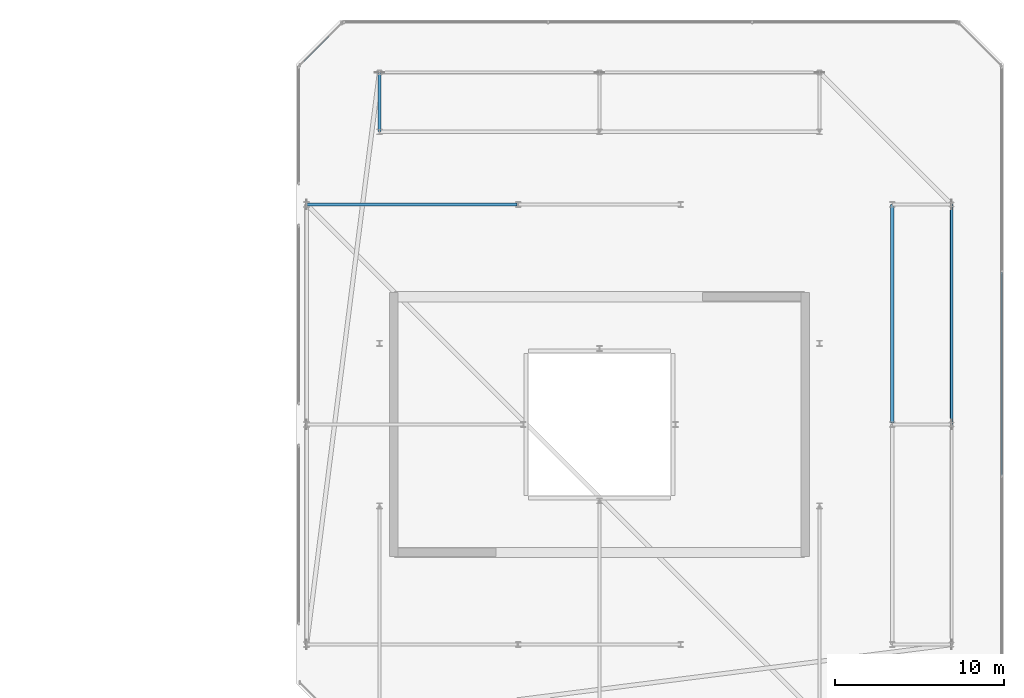
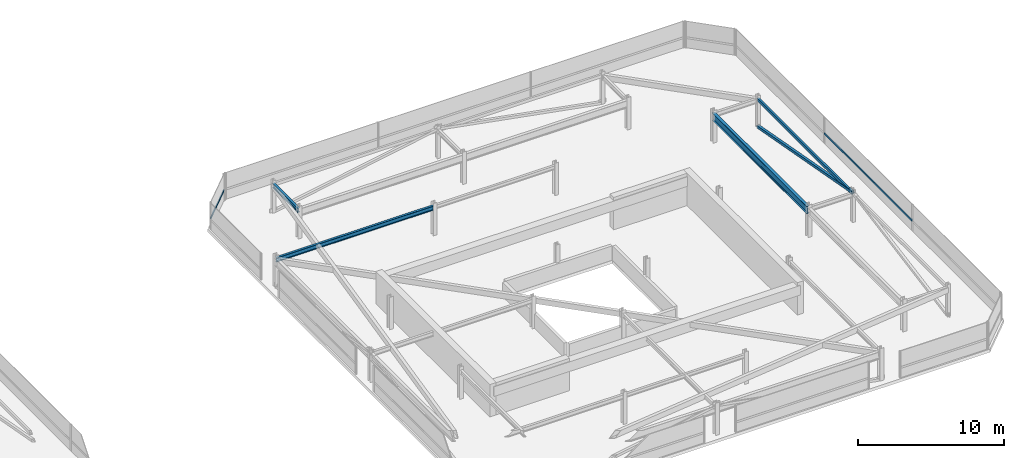
# One storey, part 34 of 44: 4 beams, 3 members, 2 elements without a shape of their own.
"""IFC4 building model written with IfcOpenShell, lengths in metres."""

from ifc_helpers import new_model, si_unit, direction, frame, origin, origin_2d, place, context, subcontext, project, spatial, hollow_rectangle, i_section, extrude, material, material_profile, profile_set, type_object, element, aggregate, save


model = new_model("IFC4")

# Units and contexts
model_context = context("Model", 3, precision=1e-05, world=origin(), true_north=direction((0.0, 1.0)))
body_context = subcontext(model_context, "Body", "Model", "MODEL_VIEW")
ifc_project = project(units=[si_unit("LENGTHUNIT", "METRE"), si_unit("AREAUNIT", "SQUARE_METRE"), si_unit("VOLUMEUNIT", "CUBIC_METRE"), si_unit("PLANEANGLEUNIT", "RADIAN"), si_unit("MASSUNIT", "GRAM", prefix="KILO")], contexts=[model_context])

# Site, building, storey
site_placement = place(None, origin())
site = spatial("IfcSite", under=ifc_project, at=site_placement, CompositionType="ELEMENT")
building_placement = place(site_placement, origin())
building = spatial("IfcBuilding", under=site, at=building_placement, Name="Thornwick Lancets Civic Towers", CompositionType="ELEMENT")
storey_placement = place(building_placement, frame((0.0, 0.0, 292.199951171875)))
storey = spatial("IfcBuildingStorey", under=building, at=storey_placement, Name="C05", CompositionType="ELEMENT", Elevation=292.199951171875)

# Beams
ifc_material_1 = material(Name="Steel S355JR", Category="steel")
ifc_material_profile_1 = material_profile(ifc_material_1, hollow_rectangle(XDim=0.14990234375, YDim=0.25, WallThickness=0.012451171875, at=origin_2d()), Name="RHS 250x150x12.5")
ifc_profile_set_1 = profile_set([ifc_material_profile_1], Name="Steel S355JR")
beam_type_1 = type_object("IfcBeamType", Name="BM_CROWN_RHS250", PredefinedType="BEAM", material=ifc_profile_set_1)
beam_1_placement = place(storey_placement, frame((109.300048828125, 27.080078125, 2.31494140625), z_axis=(0.0, 1.0, 0.0), x_axis=(-1.0, 0.0, 0.0)))
element("IfcBeam", 1, at=beam_1_placement, inside=storey, type_object=beam_type_1, Name="BM-EDGE-C05-B-S0-2", PredefinedType="BEAM", context=body_context, shape_type="SweptSolid", body=[
    extrude(hollow_rectangle(XDim=0.14990234375, YDim=0.25, WallThickness=0.012451171875, at=origin_2d()), origin(), (0.0, 0.0, 1.0), 12.919921875),
])
ifc_material_profile_2 = material_profile(ifc_material_1, i_section(OverallWidth=0.230224609375, OverallDepth=0.6171875, WebThickness=0.01318359375, FlangeThickness=0.022216796875, FilletRadius=0.0126953125, at=origin_2d()), Name="UKB 610x229x140")
ifc_profile_set_2 = profile_set([ifc_material_profile_2], Name="Steel S355JR")
beam_type_2 = type_object("IfcBeamType", Name="BM_GIRD_610_140", PredefinedType="BEAM", material=ifc_profile_set_2)
beam_2_placement = place(storey_placement, frame((105.800048828125, 27.080078125, 2.13134765625), z_axis=(0.0, 1.0, 0.0), x_axis=(-1.0, 0.0, 0.0)))
element("IfcBeam", 2, at=beam_2_placement, inside=storey, type_object=beam_type_2, Name="BM-SPINE-C05-B-1-2", PredefinedType="BEAM", context=body_context, shape_type="SweptSolid", body=[
    extrude(i_section(OverallWidth=0.230224609375, OverallDepth=0.6171875, WebThickness=0.01318359375, FlangeThickness=0.022216796875, FilletRadius=0.0126953125, at=origin_2d()), origin(), (0.0, 0.0, 1.0), 12.919921875),
])
ifc_material_profile_3 = material_profile(ifc_material_1, i_section(OverallWidth=0.173095703125, OverallDepth=0.36328125, WebThickness=0.009033203125, FlangeThickness=0.015625, FilletRadius=0.01025390625, at=origin_2d()), Name="UKB 356x171x67")
ifc_profile_set_3 = profile_set([ifc_material_profile_3], Name="Steel S355JR")
beam_type_3 = type_object("IfcBeamType", Name="BM_JOIST_356_67", PredefinedType="JOIST", material=ifc_profile_set_3)
beam_3_placement = place(storey_placement, frame((75.5, 44.300048828125, 2.25830078125), z_axis=(0.0, 1.0, 0.0), x_axis=(-1.0, 0.0, 0.0)))
element("IfcBeam", 3, at=beam_3_placement, inside=storey, type_object=beam_type_3, Name="BM-RAD-C05-B06", PredefinedType="JOIST", context=body_context, shape_type="SweptSolid", body=[
    extrude(i_section(OverallWidth=0.173095703125, OverallDepth=0.36328125, WebThickness=0.009033203125, FlangeThickness=0.015625, FilletRadius=0.01025390625, at=origin_2d()), origin(), (0.0, 0.0, 1.0), 3.5),
])
beam_4_placement = place(storey_placement, frame((83.6201171875, 40.0, 2.25830078125), z_axis=(-1.0, 0.0, 0.0), x_axis=(0.0, -1.0, 0.0)))
element("IfcBeam", 4, at=beam_4_placement, inside=storey, type_object=beam_type_3, Name="BM-RADIN-C05-B09", PredefinedType="JOIST", context=body_context, shape_type="SweptSolid", body=[
    extrude(i_section(OverallWidth=0.173095703125, OverallDepth=0.36328125, WebThickness=0.009033203125, FlangeThickness=0.015625, FilletRadius=0.01025390625, at=origin_2d()), origin(), (0.0, 0.0, 1.0), 12.420166015625),
])

# Curtain wall, member
ifc_material_2 = material(Name="Crown ring acoustic-louvre and glazing screen wall", Category="glass")
curtain_wall_type = type_object("IfcCurtainWallType", Name="CW_SYS_07", PredefinedType="NOTDEFINED", material=ifc_material_2)
curtain_wall_1_placement = place(storey_placement, origin())
curtain_wall_1 = element("IfcCurtainWall", 5, at=curtain_wall_1_placement, inside=storey, type_object=curtain_wall_type, Name="C05 Curtain Wall CW-C05-B-E2", PredefinedType="NOTDEFINED")
ifc_material_3 = material(Name="Thermally broken bronze aluminium S355", Category="steel")
ifc_material_profile_4 = material_profile(ifc_material_3, hollow_rectangle(XDim=0.074951171875, YDim=0.14990234375, WallThickness=0.0048828125, at=origin_2d()), Name="RHS 150x75x5")
ifc_profile_set_4 = profile_set([ifc_material_profile_4], Name="Thermally broken bronze aluminium S355")
member_type_1 = type_object("IfcMemberType", Name="CW_TRN_150", PredefinedType="USERDEFINED", material=ifc_profile_set_4)
member_1_placement = place(storey_placement, frame((112.2646484375, 23.986083984375, 0.85009765625), z_axis=(0.0, 1.0, 0.0), x_axis=(-1.0, 0.0, 0.0)))
member_1 = element("IfcMember", 6, at=member_1_placement, type_object=member_type_1, Name="CW-C05-B-E2 Transom 1", ObjectType="TRANSOM", PredefinedType="USERDEFINED", context=body_context, shape_type="SweptSolid", body=[
    extrude(hollow_rectangle(XDim=0.074951171875, YDim=0.14990234375, WallThickness=0.0048828125, at=origin_2d()), origin(), (0.0, 0.0, 1.0), 12.02783203125),
])
aggregate(curtain_wall_1, [member_1])

curtain_wall_2_placement = place(storey_placement, origin())
curtain_wall_2 = element("IfcCurtainWall", 7, at=curtain_wall_2_placement, inside=storey, type_object=curtain_wall_type, Name="C05 Curtain Wall CW-C05-B-E5", PredefinedType="NOTDEFINED")
member_2_placement = place(storey_placement, frame((73.247802734375, 50.69384765625, 0.85009765625), z_axis=(-0.707106781187, -0.707106781187, 0.0), x_axis=(0.707106781187, -0.707106781187, 0.0)))
member_2 = element("IfcMember", 8, at=member_2_placement, type_object=member_type_1, Name="CW-C05-B-E5 Transom 0", ObjectType="TRANSOM", PredefinedType="USERDEFINED", context=body_context, shape_type="SweptSolid", body=[
    extrude(hollow_rectangle(XDim=0.074951171875, YDim=0.14990234375, WallThickness=0.0048828125, at=origin_2d()), origin(), (0.0, 0.0, 1.0), 3.453125),
])
aggregate(curtain_wall_2, [member_2])

# Member
ifc_material_profile_5 = material_profile(ifc_material_1, hollow_rectangle(XDim=0.199951171875, YDim=0.199951171875, WallThickness=0.012451171875, at=origin_2d()), Name="SHS 200x200x12.5")
ifc_profile_set_5 = profile_set([ifc_material_profile_5], Name="Steel S355JR")
member_type_2 = type_object("IfcMemberType", Name="MEM_CROWN_SHS200", PredefinedType="BRACE", material=ifc_profile_set_5)
member_3_placement = place(storey_placement, frame((109.300048828125, 40.0, 0.050048828125), z_axis=(0.0, -0.98351842104, 0.180807951915), x_axis=(1.0, 0.0, 0.0)))
element("IfcMember", 9, at=member_3_placement, inside=storey, type_object=member_type_2, Name="C05 Crown Ring Lancet Rib B-S0-R", PredefinedType="BRACE", context=body_context, shape_type="SweptSolid", body=[
    extrude(hollow_rectangle(XDim=0.199951171875, YDim=0.199951171875, WallThickness=0.012451171875, at=origin_2d()), origin(), (0.0, 0.0, 1.0), 13.2177734375),
])

save(model, "model.ifc")
